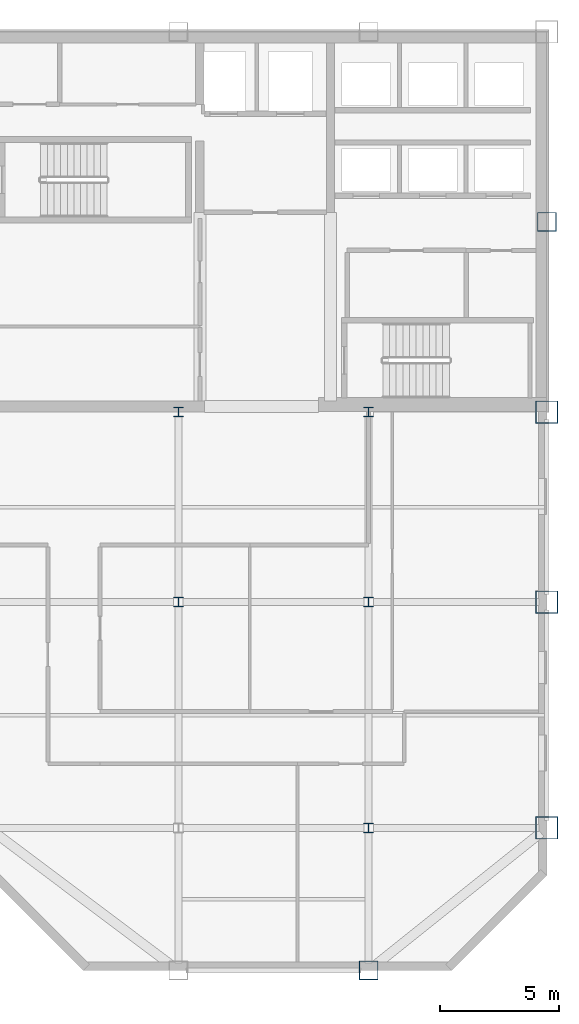
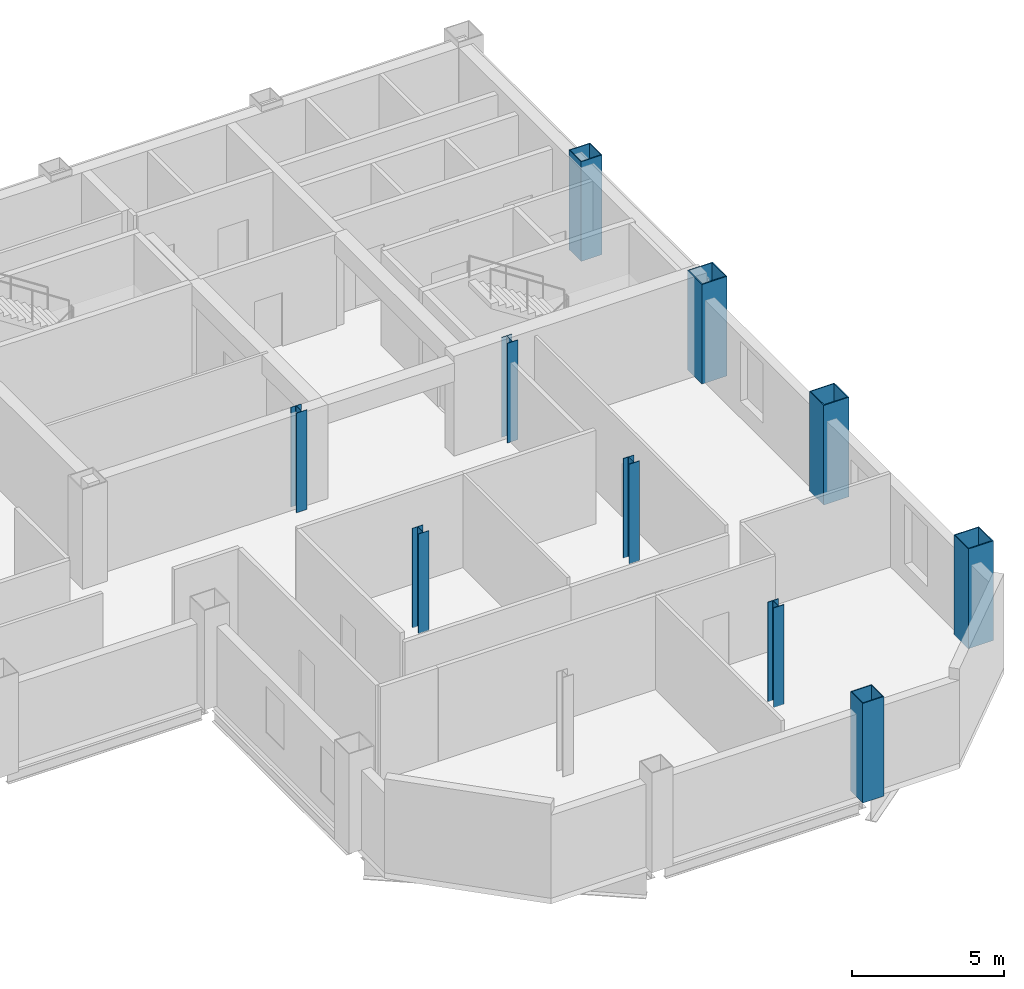
# One storey, part 2 of 10: 10 columns.
"""IFC4 building model written with IfcOpenShell, lengths in metres."""

from ifc_helpers import new_model, si_unit, direction, frame, origin, origin_2d, place, context, subcontext, project, spatial, hollow_rectangle, i_section, extrude, material, material_profile, profile_set, type_object, element, save


model = new_model("IFC4")

# Units and contexts
model_context = context("Model", 3, precision=1e-05, world=origin(), true_north=direction((0.0, 1.0)))
body_context = subcontext(model_context, "Body", "Model", "MODEL_VIEW")
ifc_project = project(units=[si_unit("LENGTHUNIT", "METRE"), si_unit("AREAUNIT", "SQUARE_METRE"), si_unit("VOLUMEUNIT", "CUBIC_METRE"), si_unit("PLANEANGLEUNIT", "RADIAN"), si_unit("MASSUNIT", "GRAM", prefix="KILO")], contexts=[model_context])

# Site, building, storey
site_placement = place(None, origin())
site = spatial("IfcSite", under=ifc_project, at=site_placement, CompositionType="ELEMENT")
building_placement = place(site_placement, origin())
building = spatial("IfcBuilding", under=site, at=building_placement, Name="Qianrong Seaharbour Tower", CompositionType="ELEMENT")
storey_placement = place(building_placement, frame((0.0, 0.0, 245.800048828125)))
storey = spatial("IfcBuildingStorey", under=building, at=storey_placement, Name="L59", CompositionType="ELEMENT", Elevation=245.800048828125)

# Columns
ifc_material = material(Name="Structural steel SN490B", Category="steel")
ifc_material_profile_1 = material_profile(ifc_material, hollow_rectangle(XDim=0.949951171875, YDim=0.949951171875, WallThickness=0.035888671875, at=origin_2d()), Name="BOX950x950x36")
ifc_profile_set_1 = profile_set([ifc_material_profile_1], Name="Structural steel SN490B")
column_type_1 = type_object("IfcColumnType", Name="COL-CFT-950", PredefinedType="COLUMN", material=ifc_profile_set_1)
for number, where, z_axis, x_axis, name in (
    (1, (64.0, 18.5, 0.0), (0.0, 0.0, 1.0), (1.0, 0.0, 0.0), "L59 Column MC-4 at G9/GD"),
    (2, (64.0, 28.0, 0.0), (0.0, 0.0, 1.0), (1.0, 0.0, 0.0), "L59 Column MC-4 at G9/GE"),
    (3, (64.0, 36.0, 0.0), (0.0, 0.0, 1.0), (1.0, 0.0, 0.0), "L59 Column MC-4 at G9/GF"),
):
    element("IfcColumn", number, at=place(storey_placement, frame(where, z_axis=z_axis, x_axis=x_axis)), inside=storey, type_object=column_type_1, Name=name, PredefinedType="COLUMN", context=body_context, shape_type="SweptSolid", body=[
        extrude(hollow_rectangle(XDim=0.949951171875, YDim=0.949951171875, WallThickness=0.035888671875, at=origin_2d()), origin(), (0.0, 0.0, 1.0), 4.0),
    ])
ifc_material_profile_2 = material_profile(ifc_material, i_section(OverallWidth=0.39990234375, OverallDepth=0.39990234375, WebThickness=0.012939453125, FlangeThickness=0.02099609375, FilletRadius=0.02197265625, at=origin_2d()), Name="H400x400x13x21")
ifc_profile_set_2 = profile_set([ifc_material_profile_2], Name="Structural steel SN490B")
column_type_2 = type_object("IfcColumnType", Name="COL-INT-H400", PredefinedType="COLUMN", material=ifc_profile_set_2)
for number, where, z_axis, x_axis, name in (
    (4, (48.5, 28.0, 0.0), (0.0, 0.0, 1.0), (1.0, 0.0, 0.0), "L59 Column IC-3 at G7/GE"),
    (5, (48.5, 36.0, 0.0), (0.0, 0.0, 1.0), (1.0, 0.0, 0.0), "L59 Column IC-3 at G7/GF"),
    (6, (56.5, 18.5, 0.0), (0.0, 0.0, 1.0), (1.0, 0.0, 0.0), "L59 Column IC-3 at G8/GD"),
    (7, (56.5, 28.0, 0.0), (0.0, 0.0, 1.0), (1.0, 0.0, 0.0), "L59 Column IC-3 at G8/GE"),
    (8, (56.5, 36.0, 0.0), (0.0, 0.0, 1.0), (1.0, 0.0, 0.0), "L59 Column IC-3 at G8/GF"),
):
    element("IfcColumn", number, at=place(storey_placement, frame(where, z_axis=z_axis, x_axis=x_axis)), inside=storey, type_object=column_type_2, Name=name, PredefinedType="COLUMN", context=body_context, shape_type="SweptSolid", body=[
        extrude(i_section(OverallWidth=0.39990234375, OverallDepth=0.39990234375, WebThickness=0.012939453125, FlangeThickness=0.02099609375, FilletRadius=0.02197265625, at=origin_2d()), origin(), (0.0, 0.0, 1.0), 4.0),
    ])
ifc_material_profile_3 = material_profile(ifc_material, hollow_rectangle(XDim=0.800048828125, YDim=0.800048828125, WallThickness=0.031982421875, at=origin_2d()), Name="BOX800x800x32")
ifc_profile_set_3 = profile_set([ifc_material_profile_3], Name="Structural steel SN490B")
column_type_3 = type_object("IfcColumnType", Name="COL-PER-800", PredefinedType="COLUMN", material=ifc_profile_set_3)
for number, where, z_axis, x_axis, name in (
    (9, (56.5, 12.5, 0.0), (0.0, 0.0, 1.0), (1.0, 0.0, 0.0), "L59 Column PC-3 at G8/GC"),
    (10, (64.0, 44.0, 0.0), (0.0, 0.0, 1.0), (1.0, 0.0, 0.0), "L59 Column PC-3 at G9/GG"),
):
    element("IfcColumn", number, at=place(storey_placement, frame(where, z_axis=z_axis, x_axis=x_axis)), inside=storey, type_object=column_type_3, Name=name, PredefinedType="COLUMN", context=body_context, shape_type="SweptSolid", body=[
        extrude(hollow_rectangle(XDim=0.800048828125, YDim=0.800048828125, WallThickness=0.031982421875, at=origin_2d()), origin(), (0.0, 0.0, 1.0), 4.0),
    ])

save(model, "model.ifc")
